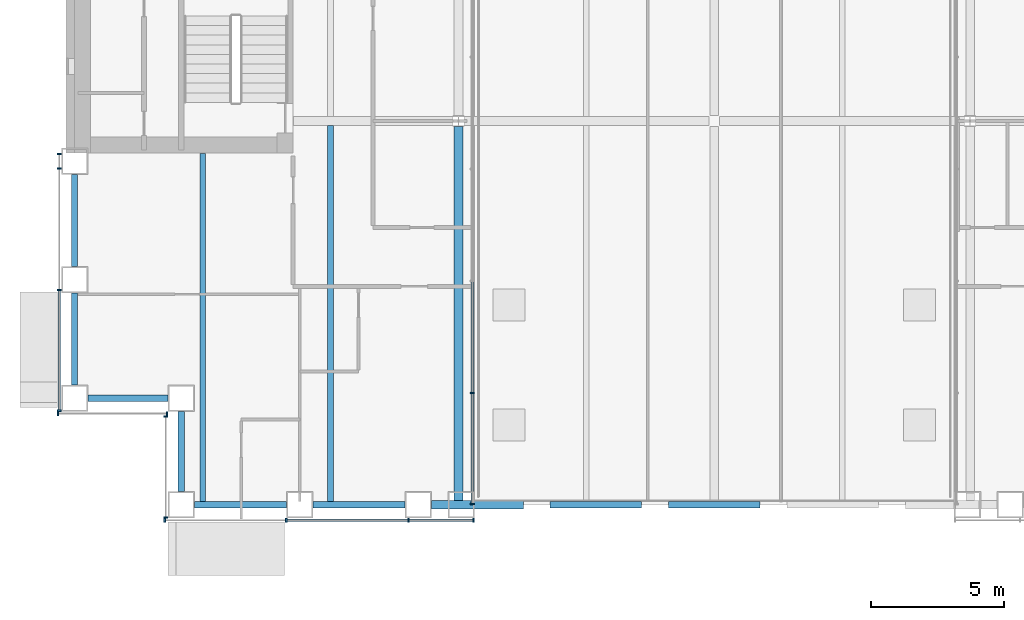
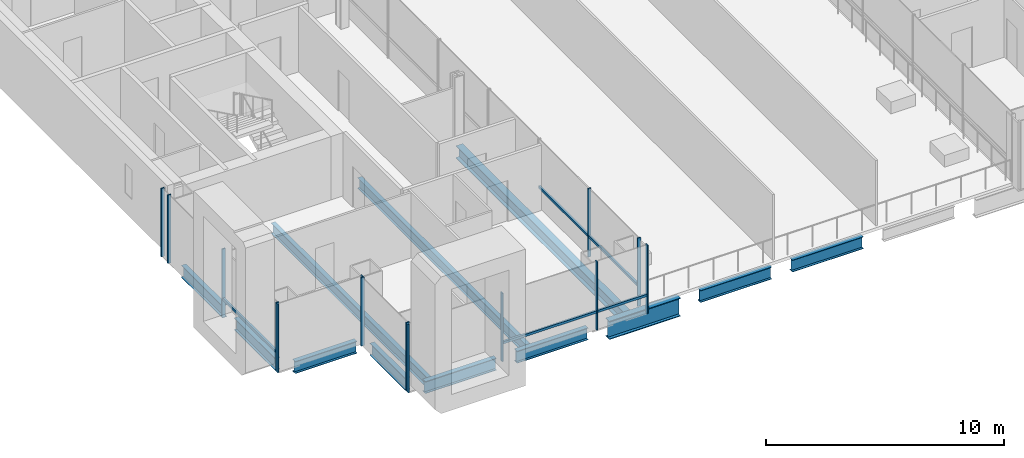
# One storey, part 2 of 24: 19 members, 12 beams, 5 elements without a shape of their own.
"""IFC4 building model written with IfcOpenShell, lengths in metres."""

from ifc_helpers import new_model, si_unit, direction, frame, origin, origin_2d, place, context, subcontext, project, spatial, rectangle, i_section, extrude, material, material_profile, profile_set, type_object, element, aggregate, save


model = new_model("IFC4")

# Units and contexts
model_context = context("Model", 3, precision=1e-05, world=origin(), true_north=direction((0.0, 1.0)))
body_context = subcontext(model_context, "Body", "Model", "MODEL_VIEW")
ifc_project = project(units=[si_unit("LENGTHUNIT", "METRE"), si_unit("AREAUNIT", "SQUARE_METRE"), si_unit("VOLUMEUNIT", "CUBIC_METRE"), si_unit("PLANEANGLEUNIT", "RADIAN"), si_unit("MASSUNIT", "GRAM", prefix="KILO")], contexts=[model_context])

# Site, building, storey
site_placement = place(None, origin())
site = spatial("IfcSite", under=ifc_project, at=site_placement, CompositionType="ELEMENT")
building_placement = place(site_placement, origin())
building = spatial("IfcBuilding", under=site, at=building_placement, Name="Cobrizo Arcos Hotel Tower", CompositionType="ELEMENT")
storey_placement = place(building_placement, frame((0.0, 0.0, 60.0)))
storey = spatial("IfcBuildingStorey", under=building, at=storey_placement, Name="L13", CompositionType="ELEMENT", Elevation=60.0)

# Curtain wall, members
ifc_material_1 = material(Name="Aluminium 6063-T6 anodised bronze", Category="aluminium")
curtain_wall_type_1 = type_object("IfcCurtainWallType", Name="CW-A guest facade", PredefinedType="NOTDEFINED", material=ifc_material_1)
curtain_wall_1_placement = place(storey_placement, origin())
curtain_wall_1 = element("IfcCurtainWall", 1, at=curtain_wall_1_placement, inside=storey, type_object=curtain_wall_type_1, Name="CW-A L13 S face", PredefinedType="NOTDEFINED")
ifc_material_profile_1 = material_profile(ifc_material_1, rectangle(XDim=0.14990234375, YDim=0.06005859375, at=origin_2d()), Name="CW-A mullion 150x60")
ifc_profile_set_1 = profile_set([ifc_material_profile_1], Name="Aluminium 6063-T6 anodised bronze")
member_type_1 = type_object("IfcMemberType", Name="CW-A mullion 150x60", PredefinedType="MULLION", material=ifc_profile_set_1)
member_1_placement = place(storey_placement, frame((-20.6201171875, -24.574951171875, 0.0), z_axis=(0.0, 0.0, 1.0), x_axis=(0.0, -1.0, 0.0)))
member_1 = element("IfcMember", 2, at=member_1_placement, type_object=member_type_1, Name="CW-A mullion 1", PredefinedType="MULLION", context=body_context, shape_type="SweptSolid", body=[
    extrude(rectangle(XDim=0.14990234375, YDim=0.06005859375, at=origin_2d()), origin(), (0.0, 0.0, 1.0), 3.5),
])
member_2_placement = place(storey_placement, frame((-16.06103515625, -24.574951171875, 0.0), z_axis=(0.0, 0.0, 1.0), x_axis=(0.0, -1.0, 0.0)))
member_2 = element("IfcMember", 3, at=member_2_placement, type_object=member_type_1, Name="CW-A mullion 2", PredefinedType="MULLION", context=body_context, shape_type="SweptSolid", body=[
    extrude(rectangle(XDim=0.14990234375, YDim=0.06005859375, at=origin_2d()), origin(), (0.0, 0.0, 1.0), 3.5),
])
member_3_placement = place(storey_placement, frame((-11.47216796875, -24.574951171875, 0.0), z_axis=(0.0, 0.0, 1.0), x_axis=(0.0, -1.0, 0.0)))
member_3 = element("IfcMember", 4, at=member_3_placement, type_object=member_type_1, Name="CW-A mullion 3", PredefinedType="MULLION", context=body_context, shape_type="SweptSolid", body=[
    extrude(rectangle(XDim=0.14990234375, YDim=0.06005859375, at=origin_2d()), origin(), (0.0, 0.0, 1.0), 3.5),
])
member_4_placement = place(storey_placement, frame((-9.030029296875, -24.574951171875, 0.0), z_axis=(0.0, 0.0, 1.0), x_axis=(0.0, -1.0, 0.0)))
member_4 = element("IfcMember", 5, at=member_4_placement, type_object=member_type_1, Name="CW-A mullion 4", PredefinedType="MULLION", context=body_context, shape_type="SweptSolid", body=[
    extrude(rectangle(XDim=0.14990234375, YDim=0.06005859375, at=origin_2d()), origin(), (0.0, 0.0, 1.0), 3.5),
])

curtain_wall_2_placement = place(storey_placement, origin())
curtain_wall_2 = element("IfcCurtainWall", 6, at=curtain_wall_2_placement, inside=storey, type_object=curtain_wall_type_1, Name="CW-A L13 W face", PredefinedType="NOTDEFINED")
member_5_placement = place(storey_placement, frame((-24.574951171875, -10.830078125, 0.0), z_axis=(0.0, 0.0, 1.0), x_axis=(-1.0, 0.0, 0.0)))
member_5 = element("IfcMember", 7, at=member_5_placement, type_object=member_type_1, Name="CW-A mullion 1", PredefinedType="MULLION", context=body_context, shape_type="SweptSolid", body=[
    extrude(rectangle(XDim=0.14990234375, YDim=0.06005859375, at=origin_2d()), origin(), (0.0, 0.0, 1.0), 3.5),
])
member_6_placement = place(storey_placement, frame((-24.574951171875, -11.388916015625, 0.0), z_axis=(0.0, 0.0, 1.0), x_axis=(-1.0, 0.0, 0.0)))
member_6 = element("IfcMember", 8, at=member_6_placement, type_object=member_type_1, Name="CW-A mullion 2", PredefinedType="MULLION", context=body_context, shape_type="SweptSolid", body=[
    extrude(rectangle(XDim=0.14990234375, YDim=0.06005859375, at=origin_2d()), origin(), (0.0, 0.0, 1.0), 3.5),
])
member_7_placement = place(storey_placement, frame((-24.574951171875, -15.9443359375, 0.0), z_axis=(0.0, 0.0, 1.0), x_axis=(-1.0, 0.0, 0.0)))
member_7 = element("IfcMember", 9, at=member_7_placement, type_object=member_type_1, Name="CW-A mullion 3", PredefinedType="MULLION", context=body_context, shape_type="SweptSolid", body=[
    extrude(rectangle(XDim=0.14990234375, YDim=0.06005859375, at=origin_2d()), origin(), (0.0, 0.0, 1.0), 3.5),
])
member_8_placement = place(storey_placement, frame((-24.574951171875, -20.469970703125, 0.0), z_axis=(0.0, 0.0, 1.0), x_axis=(-1.0, 0.0, 0.0)))
member_8 = element("IfcMember", 10, at=member_8_placement, type_object=member_type_1, Name="CW-A mullion 4", PredefinedType="MULLION", context=body_context, shape_type="SweptSolid", body=[
    extrude(rectangle(XDim=0.14990234375, YDim=0.06005859375, at=origin_2d()), origin(), (0.0, 0.0, 1.0), 3.5),
])

curtain_wall_3_placement = place(storey_placement, origin())
curtain_wall_3 = element("IfcCurtainWall", 11, at=curtain_wall_3_placement, inside=storey, type_object=curtain_wall_type_1, Name="CW-A L13 S face", PredefinedType="NOTDEFINED")
member_9_placement = place(storey_placement, frame((-24.6201171875, -20.574951171875, 0.0), z_axis=(0.0, 0.0, 1.0), x_axis=(0.0, -1.0, 0.0)))
member_9 = element("IfcMember", 12, at=member_9_placement, type_object=member_type_1, Name="CW-A mullion 1", PredefinedType="MULLION", context=body_context, shape_type="SweptSolid", body=[
    extrude(rectangle(XDim=0.14990234375, YDim=0.06005859375, at=origin_2d()), origin(), (0.0, 0.0, 1.0), 3.5),
])
member_10_placement = place(storey_placement, frame((-20.530029296875, -20.574951171875, 0.0), z_axis=(0.0, 0.0, 1.0), x_axis=(0.0, -1.0, 0.0)))
member_10 = element("IfcMember", 13, at=member_10_placement, type_object=member_type_1, Name="CW-A mullion 2", PredefinedType="MULLION", context=body_context, shape_type="SweptSolid", body=[
    extrude(rectangle(XDim=0.14990234375, YDim=0.06005859375, at=origin_2d()), origin(), (0.0, 0.0, 1.0), 3.5),
])
aggregate(curtain_wall_3, [member_9, member_10])

curtain_wall_4_placement = place(storey_placement, origin())
curtain_wall_4 = element("IfcCurtainWall", 14, at=curtain_wall_4_placement, inside=storey, type_object=curtain_wall_type_1, Name="CW-A L13 W face", PredefinedType="NOTDEFINED")
member_11_placement = place(storey_placement, frame((-20.574951171875, -20.679931640625, 0.0), z_axis=(0.0, 0.0, 1.0), x_axis=(-1.0, 0.0, 0.0)))
member_11 = element("IfcMember", 15, at=member_11_placement, type_object=member_type_1, Name="CW-A mullion 1", PredefinedType="MULLION", context=body_context, shape_type="SweptSolid", body=[
    extrude(rectangle(XDim=0.14990234375, YDim=0.06005859375, at=origin_2d()), origin(), (0.0, 0.0, 1.0), 3.5),
])
member_12_placement = place(storey_placement, frame((-20.574951171875, -24.469970703125, 0.0), z_axis=(0.0, 0.0, 1.0), x_axis=(-1.0, 0.0, 0.0)))
member_12 = element("IfcMember", 16, at=member_12_placement, type_object=member_type_1, Name="CW-A mullion 2", PredefinedType="MULLION", context=body_context, shape_type="SweptSolid", body=[
    extrude(rectangle(XDim=0.14990234375, YDim=0.06005859375, at=origin_2d()), origin(), (0.0, 0.0, 1.0), 3.5),
])
aggregate(curtain_wall_4, [member_11, member_12])

# Member
ifc_material_profile_2 = material_profile(ifc_material_1, rectangle(XDim=0.10009765625, YDim=0.1201171875, at=origin_2d()), Name="CW-A transom 120x100")
ifc_profile_set_2 = profile_set([ifc_material_profile_2], Name="Aluminium 6063-T6 anodised bronze")
member_type_2 = type_object("IfcMemberType", Name="CW-A transom 120x100", PredefinedType="USERDEFINED", material=ifc_profile_set_2)
member_13_placement = place(storey_placement, frame((-16.031005859375, -24.574951171875, 0.929931640625), z_axis=(1.0, 0.0, 0.0), x_axis=(0.0, 1.0, 0.0)))
member_13 = element("IfcMember", 17, at=member_13_placement, type_object=member_type_2, Name="CW-A transom 590", ObjectType="TRANSOM", PredefinedType="USERDEFINED", context=body_context, shape_type="SweptSolid", body=[
    extrude(rectangle(XDim=0.10009765625, YDim=0.1201171875, at=origin_2d()), origin(), (0.0, 0.0, 1.0), 4.52880859375),
])

member_14_placement = place(storey_placement, frame((-11.442138671875, -24.574951171875, 0.929931640625), z_axis=(1.0, 0.0, 0.0), x_axis=(0.0, 1.0, 0.0)))
member_14 = element("IfcMember", 18, at=member_14_placement, type_object=member_type_2, Name="CW-A transom 591", ObjectType="TRANSOM", PredefinedType="USERDEFINED", context=body_context, shape_type="SweptSolid", body=[
    extrude(rectangle(XDim=0.10009765625, YDim=0.1201171875, at=origin_2d()), origin(), (0.0, 0.0, 1.0), 2.382080078125),
])

aggregate(curtain_wall_1, [member_1, member_2, member_3, member_4, member_13, member_14])

member_15_placement = place(storey_placement, frame((-24.574951171875, -15.974365234375, 0.929931640625), z_axis=(0.0, -1.0, 0.0), x_axis=(1.0, 0.0, 0.0)))
member_15 = element("IfcMember", 19, at=member_15_placement, type_object=member_type_2, Name="CW-A transom 618", ObjectType="TRANSOM", PredefinedType="USERDEFINED", context=body_context, shape_type="SweptSolid", body=[
    extrude(rectangle(XDim=0.10009765625, YDim=0.1201171875, at=origin_2d()), origin(), (0.0, 0.0, 1.0), 4.465576171875),
])

aggregate(curtain_wall_2, [member_5, member_6, member_7, member_8, member_15])

# Curtain wall, members
curtain_wall_type_2 = type_object("IfcCurtainWallType", Name="CW-F void screen", PredefinedType="NOTDEFINED", material=ifc_material_1)
curtain_wall_5_placement = place(storey_placement, origin())
curtain_wall_5 = element("IfcCurtainWall", 20, at=curtain_wall_5_placement, inside=storey, type_object=curtain_wall_type_2, Name="CW-F L13 void screen A", PredefinedType="NOTDEFINED")
ifc_material_profile_3 = material_profile(ifc_material_1, rectangle(XDim=0.14990234375, YDim=0.06005859375, at=origin_2d()), Name="CW-F mullion 150x60")
ifc_profile_set_3 = profile_set([ifc_material_profile_3], Name="Aluminium 6063-T6 anodised bronze")
member_type_3 = type_object("IfcMemberType", Name="CW-F mullion 150x60", PredefinedType="MULLION", material=ifc_profile_set_3)
member_16_placement = place(storey_placement, frame((-9.074951171875, -19.800048828125, 0.0), z_axis=(0.0, 0.0, 1.0), x_axis=(-1.0, 0.0, 0.0)))
member_16 = element("IfcMember", 21, at=member_16_placement, type_object=member_type_3, Name="CW-F mullion 6", PredefinedType="MULLION", context=body_context, shape_type="SweptSolid", body=[
    extrude(rectangle(XDim=0.14990234375, YDim=0.06005859375, at=origin_2d()), origin(), (0.0, 0.0, 1.0), 3.5),
])
member_17_placement = place(storey_placement, frame((-9.074951171875, -23.969970703125, 0.0), z_axis=(0.0, 0.0, 1.0), x_axis=(-1.0, 0.0, 0.0)))
member_17 = element("IfcMember", 22, at=member_17_placement, type_object=member_type_3, Name="CW-F mullion 7", PredefinedType="MULLION", context=body_context, shape_type="SweptSolid", body=[
    extrude(rectangle(XDim=0.14990234375, YDim=0.06005859375, at=origin_2d()), origin(), (0.0, 0.0, 1.0), 3.5),
])
ifc_material_profile_4 = material_profile(ifc_material_1, rectangle(XDim=0.10009765625, YDim=0.1201171875, at=origin_2d()), Name="CW-F transom 120x100")
ifc_profile_set_4 = profile_set([ifc_material_profile_4], Name="Aluminium 6063-T6 anodised bronze")
member_type_4 = type_object("IfcMemberType", Name="CW-F transom 120x100", PredefinedType="USERDEFINED", material=ifc_profile_set_4)
member_18_placement = place(storey_placement, frame((-9.074951171875, -15.6298828125, 1.050048828125), z_axis=(0.0, -1.0, 0.0), x_axis=(1.0, 0.0, 0.0)))
member_18 = element("IfcMember", 23, at=member_18_placement, type_object=member_type_4, Name="CW-F transom 2446", ObjectType="TRANSOM", PredefinedType="USERDEFINED", context=body_context, shape_type="SweptSolid", body=[
    extrude(rectangle(XDim=0.10009765625, YDim=0.1201171875, at=origin_2d()), origin(), (0.0, 0.0, 1.0), 4.14013671875),
])
member_19_placement = place(storey_placement, frame((-9.074951171875, -19.830078125, 1.050048828125), z_axis=(0.0, -1.0, 0.0), x_axis=(1.0, 0.0, 0.0)))
member_19 = element("IfcMember", 24, at=member_19_placement, type_object=member_type_4, Name="CW-F transom 2447", ObjectType="TRANSOM", PredefinedType="USERDEFINED", context=body_context, shape_type="SweptSolid", body=[
    extrude(rectangle(XDim=0.10009765625, YDim=0.1201171875, at=origin_2d()), origin(), (0.0, 0.0, 1.0), 4.10986328125),
])
aggregate(curtain_wall_5, [member_16, member_17, member_18, member_19])

# Beams
ifc_material_2 = material(Name="Steel ASTM A992 Grade 50", Category="steel")
ifc_material_profile_5 = material_profile(ifc_material_2, i_section(OverallWidth=0.209228515625, OverallDepth=0.533447265625, WebThickness=0.01025390625, FlangeThickness=0.015625, at=origin_2d()), Name="W21X62")
ifc_profile_set_5 = profile_set([ifc_material_profile_5], Name="Steel ASTM A992 Grade 50")
beam_type_1 = type_object("IfcBeamType", Name="W21X62 joist", PredefinedType="JOIST", material=ifc_profile_set_5)
beam_1_placement = place(storey_placement, frame((-19.199951171875, -23.909912109375, -0.416748046875), z_axis=(0.0, 1.0, 0.0), x_axis=(-1.0, 0.0, 0.0)))
element("IfcBeam", 25, at=beam_1_placement, inside=storey, type_object=beam_type_1, Name="Floor joist J1, L13, no. 001", PredefinedType="JOIST", context=body_context, shape_type="SweptSolid", body=[
    extrude(i_section(OverallWidth=0.209228515625, OverallDepth=0.533447265625, WebThickness=0.01025390625, FlangeThickness=0.015625, at=origin_2d()), origin(), (0.0, 0.0, 1.0), 13.099853515625),
])
beam_2_placement = place(storey_placement, frame((-14.39990234375, -23.909912109375, -0.416748046875), z_axis=(0.0, 1.0, 0.0), x_axis=(-1.0, 0.0, 0.0)))
element("IfcBeam", 26, at=beam_2_placement, inside=storey, type_object=beam_type_1, Name="Floor joist J1, L13, no. 003", PredefinedType="JOIST", context=body_context, shape_type="SweptSolid", body=[
    extrude(i_section(OverallWidth=0.209228515625, OverallDepth=0.533447265625, WebThickness=0.01025390625, FlangeThickness=0.015625, at=origin_2d()), origin(), (0.0, 0.0, 1.0), 14.14599609375),
])
ifc_material_profile_6 = material_profile(ifc_material_2, i_section(OverallWidth=0.32763671875, OverallDepth=0.622314453125, WebThickness=0.015380859375, FlangeThickness=0.0244140625, at=origin_2d()), Name="W24X131")
ifc_profile_set_6 = profile_set([ifc_material_profile_6], Name="Steel ASTM A992 Grade 50")
beam_type_2 = type_object("IfcBeamType", Name="W24X131 girder", PredefinedType="BEAM", material=ifc_profile_set_6)
beam_3_placement = place(storey_placement, frame((-9.60009765625, -23.909912109375, -0.461181640625), z_axis=(0.0, 1.0, 0.0), x_axis=(-1.0, 0.0, 0.0)))
element("IfcBeam", 27, at=beam_3_placement, inside=storey, type_object=beam_type_2, Name="Floor girder G1, L13, no. 013", PredefinedType="BEAM", context=body_context, shape_type="SweptSolid", body=[
    extrude(i_section(OverallWidth=0.32763671875, OverallDepth=0.622314453125, WebThickness=0.015380859375, FlangeThickness=0.0244140625, at=origin_2d()), origin(), (0.0, 0.0, 1.0), 14.10546875),
])
ifc_material_profile_7 = material_profile(ifc_material_2, i_section(OverallWidth=0.23046875, OverallDepth=0.6171875, WebThickness=0.01318359375, FlangeThickness=0.022216796875, at=origin_2d()), Name="W24X94")
ifc_profile_set_7 = profile_set([ifc_material_profile_7], Name="Steel ASTM A992 Grade 50")
beam_type_3 = type_object("IfcBeamType", Name="W24X94 spandrel", PredefinedType="SPANDREL", material=ifc_profile_set_7)
beam_4_placement = place(storey_placement, frame((-19.5, -24.0, -0.45849609375), z_axis=(1.0, 0.0, 0.0), x_axis=(0.0, 1.0, 0.0)))
element("IfcBeam", 28, at=beam_4_placement, inside=storey, type_object=beam_type_3, Name="Spandrel beam W24X94, L13, no. 001", PredefinedType="SPANDREL", context=body_context, shape_type="SweptSolid", body=[
    extrude(i_section(OverallWidth=0.23046875, OverallDepth=0.6171875, WebThickness=0.01318359375, FlangeThickness=0.022216796875, at=origin_2d()), origin(), (0.0, 0.0, 1.0), 3.444091796875),
])
beam_5_placement = place(storey_placement, frame((-15.055908203125, -24.0, -0.45849609375), z_axis=(1.0, 0.0, 0.0), x_axis=(0.0, 1.0, 0.0)))
element("IfcBeam", 29, at=beam_5_placement, inside=storey, type_object=beam_type_3, Name="Spandrel beam W24X94, L13, no. 002", PredefinedType="SPANDREL", context=body_context, shape_type="SweptSolid", body=[
    extrude(i_section(OverallWidth=0.23046875, OverallDepth=0.6171875, WebThickness=0.01318359375, FlangeThickness=0.022216796875, at=origin_2d()), origin(), (0.0, 0.0, 1.0), 3.44482421875),
])
beam_6_placement = place(storey_placement, frame((-6.1669921875, -24.0, -0.45849609375), z_axis=(1.0, 0.0, 0.0), x_axis=(0.0, 1.0, 0.0)))
element("IfcBeam", 30, at=beam_6_placement, inside=storey, type_object=beam_type_3, Name="Spandrel beam W24X94, L13, no. 003", PredefinedType="SPANDREL", context=body_context, shape_type="SweptSolid", body=[
    extrude(i_section(OverallWidth=0.23046875, OverallDepth=0.6171875, WebThickness=0.01318359375, FlangeThickness=0.022216796875, at=origin_2d()), origin(), (0.0, 0.0, 1.0), 3.445068359375),
])
beam_7_placement = place(storey_placement, frame((-1.721923828125, -24.0, -0.45849609375), z_axis=(1.0, 0.0, 0.0), x_axis=(0.0, 1.0, 0.0)))
element("IfcBeam", 31, at=beam_7_placement, inside=storey, type_object=beam_type_3, Name="Spandrel beam W24X94, L13, no. 004", PredefinedType="SPANDREL", context=body_context, shape_type="SweptSolid", body=[
    extrude(i_section(OverallWidth=0.23046875, OverallDepth=0.6171875, WebThickness=0.01318359375, FlangeThickness=0.022216796875, at=origin_2d()), origin(), (0.0, 0.0, 1.0), 3.44384765625),
])
beam_8_placement = place(storey_placement, frame((-24.0, -11.611083984375, -0.45849609375), z_axis=(0.0, -1.0, 0.0), x_axis=(1.0, 0.0, 0.0)))
element("IfcBeam", 32, at=beam_8_placement, inside=storey, type_object=beam_type_3, Name="Spandrel beam W24X94, L13, no. 027", PredefinedType="SPANDREL", context=body_context, shape_type="SweptSolid", body=[
    extrude(i_section(OverallWidth=0.23046875, OverallDepth=0.6171875, WebThickness=0.01318359375, FlangeThickness=0.022216796875, at=origin_2d()), origin(), (0.0, 0.0, 1.0), 3.44482421875),
])
beam_9_placement = place(storey_placement, frame((-24.0, -16.055908203125, -0.45849609375), z_axis=(0.0, -1.0, 0.0), x_axis=(1.0, 0.0, 0.0)))
element("IfcBeam", 33, at=beam_9_placement, inside=storey, type_object=beam_type_3, Name="Spandrel beam W24X94, L13, no. 028", PredefinedType="SPANDREL", context=body_context, shape_type="SweptSolid", body=[
    extrude(i_section(OverallWidth=0.23046875, OverallDepth=0.6171875, WebThickness=0.01318359375, FlangeThickness=0.022216796875, at=origin_2d()), origin(), (0.0, 0.0, 1.0), 3.444091796875),
])
for number, where, z_axis, x_axis, name in (
    (34, (-23.5, -20.0, -0.45849609375), (1.0, 0.0, 0.0), (0.0, 1.0, 0.0), "Spandrel beam W24X94, L13, no. 029"),
    (35, (-20.0, -20.5, -0.45849609375), (0.0, -1.0, 0.0), (1.0, 0.0, 0.0), "Spandrel beam W24X94, L13, no. 030"),
):
    element("IfcBeam", number, at=place(storey_placement, frame(where, z_axis=z_axis, x_axis=x_axis)), inside=storey, type_object=beam_type_3, Name=name, PredefinedType="SPANDREL", context=body_context, shape_type="SweptSolid", body=[
        extrude(i_section(OverallWidth=0.23046875, OverallDepth=0.6171875, WebThickness=0.01318359375, FlangeThickness=0.022216796875, at=origin_2d()), origin(), (0.0, 0.0, 1.0), 3.0),
    ])
ifc_material_profile_8 = material_profile(ifc_material_2, i_section(OverallWidth=0.307373046875, OverallDepth=0.9423828125, WebThickness=0.022216796875, FlangeThickness=0.039794921875, at=origin_2d()), Name="W36X232")
ifc_profile_set_8 = profile_set([ifc_material_profile_8], Name="Steel ASTM A992 Grade 50")
beam_type_4 = type_object("IfcBeamType", Name="W36X232 spandrel transfer", PredefinedType="BEAM", material=ifc_profile_set_8)
beam_10_placement = place(storey_placement, frame((-10.611083984375, -24.0, -0.62109375), z_axis=(1.0, 0.0, 0.0), x_axis=(0.0, 1.0, 0.0)))
element("IfcBeam", 36, at=beam_10_placement, inside=storey, type_object=beam_type_4, Name="Spandrel transfer beam ST1, L13, no. 001", PredefinedType="BEAM", context=body_context, shape_type="SweptSolid", body=[
    extrude(i_section(OverallWidth=0.307373046875, OverallDepth=0.9423828125, WebThickness=0.022216796875, FlangeThickness=0.039794921875, at=origin_2d()), origin(), (0.0, 0.0, 1.0), 3.444091796875),
])

save(model, "model.ifc")
